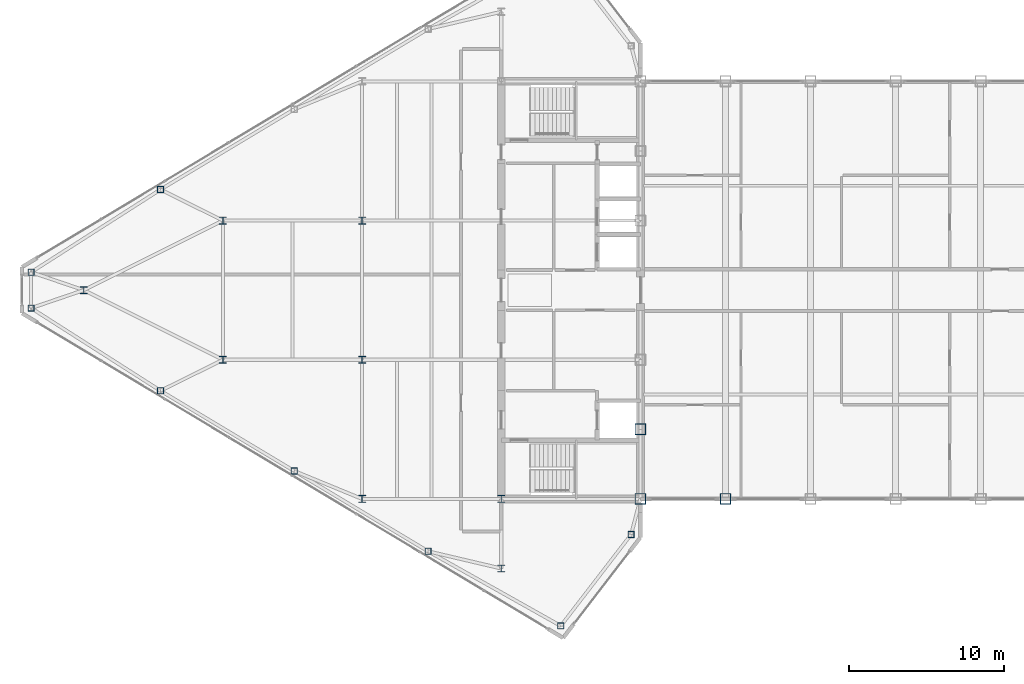
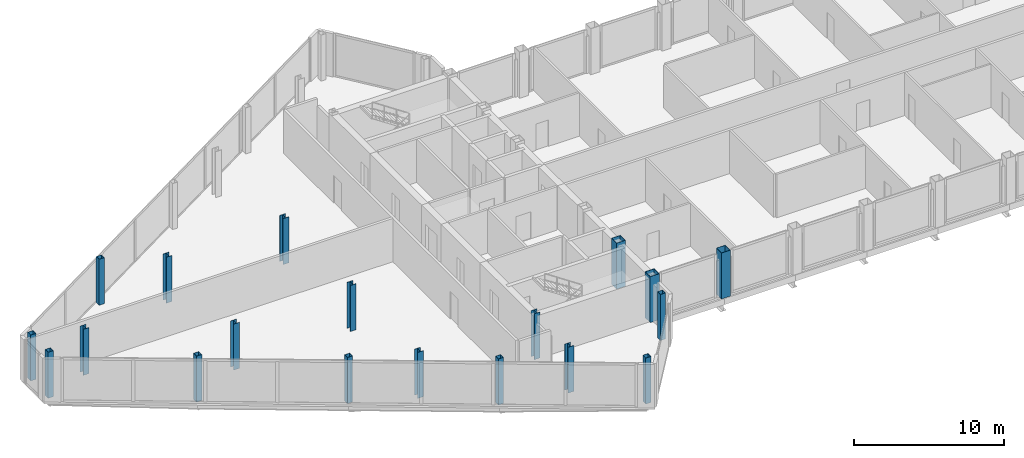
# One storey, part 1 of 28: 19 columns.
"""IFC4 building model written with IfcOpenShell, lengths in metres."""

from ifc_helpers import new_model, si_unit, direction, frame, origin, origin_2d, place, context, subcontext, project, spatial, hollow_rectangle, i_section, extrude, source, transform, mapped, material, material_profile, profile_set, type_object, type_shapes, element, save


model = new_model("IFC4")

# Units and contexts
model_context = context("Model", 3, precision=1e-05, world=origin(), true_north=direction((0.0, 1.0)))
body_context = subcontext(model_context, "Body", "Model", "MODEL_VIEW")
ifc_project = project(units=[si_unit("LENGTHUNIT", "METRE"), si_unit("AREAUNIT", "SQUARE_METRE"), si_unit("VOLUMEUNIT", "CUBIC_METRE"), si_unit("PLANEANGLEUNIT", "RADIAN"), si_unit("MASSUNIT", "GRAM", prefix="KILO")], contexts=[model_context])

# Site, building, storey
site_placement = place(None, origin())
site = spatial("IfcSite", under=ifc_project, at=site_placement, CompositionType="ELEMENT")
building_placement = place(site_placement, origin())
building = spatial("IfcBuilding", under=site, at=building_placement, Name="Seokmaru Belvedere", CompositionType="ELEMENT")
storey_placement = place(building_placement, frame((0.0, 0.0, 261.89990234375)))
storey = spatial("IfcBuildingStorey", under=building, at=storey_placement, Name="L69", CompositionType="ELEMENT", Elevation=261.89990234375)

# Columns
ifc_material = material(Name="Steel SM355 (355 MPa)", Category="steel")
ifc_material_profile_1 = material_profile(ifc_material, hollow_rectangle(XDim=0.699951171875, YDim=0.699951171875, WallThickness=0.030029296875, at=origin_2d()), Name="BOX-700x700x30")
ifc_profile_set_1 = profile_set([ifc_material_profile_1], Name="Steel SM355 (355 MPa)")
column_type_1 = type_object("IfcColumnType", Name="Upper Spine Column BOX-700", PredefinedType="COLUMN", material=ifc_profile_set_1)
shared_shape_1 = source(origin(), body_context, "Body", "SweptSolid", [
    extrude(hollow_rectangle(XDim=0.699951171875, YDim=0.699951171875, WallThickness=0.030029296875, at=origin_2d()), origin(), (0.0, 0.0, 1.0), 3.75),
])
type_shapes(column_type_1, [shared_shape_1])
for number, where, z_axis, x_axis, name in (
    (1, (-27.5, -13.5, 0.0), (0.0, 0.0, 1.0), (1.0, 0.0, 0.0), "L69 Column WS1"),
    (2, (-27.5, -9.0, 0.0), (0.0, 0.0, 1.0), (1.0, 0.0, 0.0), "L69 Column WS2"),
    (3, (-22.0, -13.5, 0.0), (0.0, 0.0, 1.0), (1.0, 0.0, 0.0), "L69 Column BRS_1"),
):
    element("IfcColumn", number, at=place(storey_placement, frame(where, z_axis=z_axis, x_axis=x_axis)), inside=storey, type_object=column_type_1, Name=name, PredefinedType="COLUMN", context=body_context, shape_type="MappedRepresentation", body=[
        mapped(shared_shape_1, transform((0.0, 0.0, 0.0), scale=1.0)),
    ])
ifc_material_profile_2 = material_profile(ifc_material, i_section(OverallWidth=0.449951171875, OverallDepth=0.449951171875, WebThickness=0.01611328125, FlangeThickness=0.02490234375, at=origin_2d()), Name="H-450x450x16x25")
ifc_profile_set_2 = profile_set([ifc_material_profile_2], Name="Steel SM355 (355 MPa)")
column_type_2 = type_object("IfcColumnType", Name="Sky-Gate Column H-450", PredefinedType="COLUMN", material=ifc_profile_set_2)
shared_shape_2 = source(origin(), body_context, "Body", "SweptSolid", [
    extrude(i_section(OverallWidth=0.449951171875, OverallDepth=0.449951171875, WebThickness=0.01611328125, FlangeThickness=0.02490234375, at=origin_2d()), origin(), (0.0, 0.0, 1.0), 3.75),
])
type_shapes(column_type_2, [shared_shape_2])
for number, where, z_axis, x_axis, name in (
    (4, (-36.5, -18.0, 0.0), (0.0, 0.0, 1.0), (1.0, 0.0, 0.0), "L69 Column WC1"),
    (5, (-36.5, -13.5, 0.0), (0.0, 0.0, 1.0), (1.0, 0.0, 0.0), "L69 Column WC2"),
    (6, (-45.5, -13.5, 0.0), (0.0, 0.0, 1.0), (1.0, 0.0, 0.0), "L69 Column WG5_1"),
    (7, (-45.5, -4.5, 0.0), (0.0, 0.0, 1.0), (1.0, 0.0, 0.0), "L69 Column WG5_2"),
    (8, (-45.5, 4.5, 0.0), (0.0, 0.0, 1.0), (1.0, 0.0, 0.0), "L69 Column WG5_3"),
    (9, (-54.5, -4.5, 0.0), (0.0, 0.0, 1.0), (1.0, 0.0, 0.0), "L69 Column WG4P_1"),
    (10, (-54.5, 4.5, 0.0), (0.0, 0.0, 1.0), (1.0, 0.0, 0.0), "L69 Column WG4P_2"),
    (11, (-63.5, 0.0, 0.0), (0.0, 0.0, 1.0), (1.0, 0.0, 0.0), "L69 Column WG3P_1"),
):
    element("IfcColumn", number, at=place(storey_placement, frame(where, z_axis=z_axis, x_axis=x_axis)), inside=storey, type_object=column_type_2, Name=name, PredefinedType="COLUMN", context=body_context, shape_type="MappedRepresentation", body=[
        mapped(shared_shape_2, transform((0.0, 0.0, 0.0), scale=1.0)),
    ])
ifc_material_profile_3 = material_profile(ifc_material, hollow_rectangle(XDim=0.39990234375, YDim=0.39990234375, WallThickness=0.01611328125, at=origin_2d()), Name="HSS-400x400x16")
ifc_profile_set_3 = profile_set([ifc_material_profile_3], Name="Steel SM355 (355 MPa)")
column_type_3 = type_object("IfcColumnType", Name="Perimeter Facet Column HSS-400", PredefinedType="COLUMN", material=ifc_profile_set_3)
shared_shape_3 = source(origin(), body_context, "Body", "SweptSolid", [
    extrude(hollow_rectangle(XDim=0.39990234375, YDim=0.39990234375, WallThickness=0.01611328125, at=origin_2d()), origin(), (0.0, 0.0, 1.0), 3.75),
])
type_shapes(column_type_3, [shared_shape_3])
for number, where, z_axis, x_axis, name in (
    (12, (-28.10009765625, -15.7958984375, 0.0), (0.0, 0.0, 1.0), (1.0, 0.0, 0.0), "L69 Column WF1"),
    (13, (-66.89990234375, 1.160400390625, 0.0), (0.0, 0.0, 1.0), (1.0, 0.0, 0.0), "L69 Column WF4"),
    (14, (-66.89990234375, -1.160400390625, 0.0), (0.0, 0.0, 1.0), (1.0, 0.0, 0.0), "L69 Column WF5"),
    (15, (-32.649658203125, -21.71044921875, 0.0), (0.0, 0.0, 1.0), (1.0, 0.0, 0.0), "L69 Column WF6"),
    (16, (-41.229736328125, -16.888916015625, 0.0), (0.0, 0.0, 1.0), (1.0, 0.0, 0.0), "L69 Column WFLK_S1"),
    (17, (-49.8798828125, -11.698974609375, 0.0), (0.0, 0.0, 1.0), (1.0, 0.0, 0.0), "L69 Column WFLK_S2"),
    (18, (-58.530029296875, -6.5087890625, 0.0), (0.0, 0.0, 1.0), (1.0, 0.0, 0.0), "L69 Column WFLK_S3"),
    (19, (-58.530029296875, 6.5087890625, 0.0), (0.0, 0.0, 1.0), (1.0, 0.0, 0.0), "L69 Column WFLK_N3"),
):
    element("IfcColumn", number, at=place(storey_placement, frame(where, z_axis=z_axis, x_axis=x_axis)), inside=storey, type_object=column_type_3, Name=name, PredefinedType="COLUMN", context=body_context, shape_type="MappedRepresentation", body=[
        mapped(shared_shape_3, transform((0.0, 0.0, 0.0), scale=1.0)),
    ])

save(model, "model.ifc")
